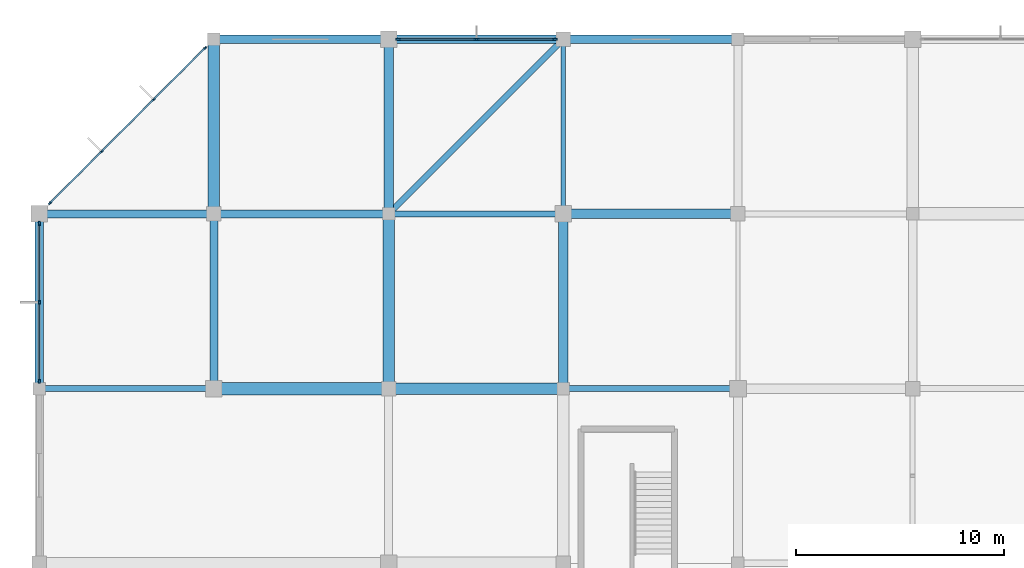
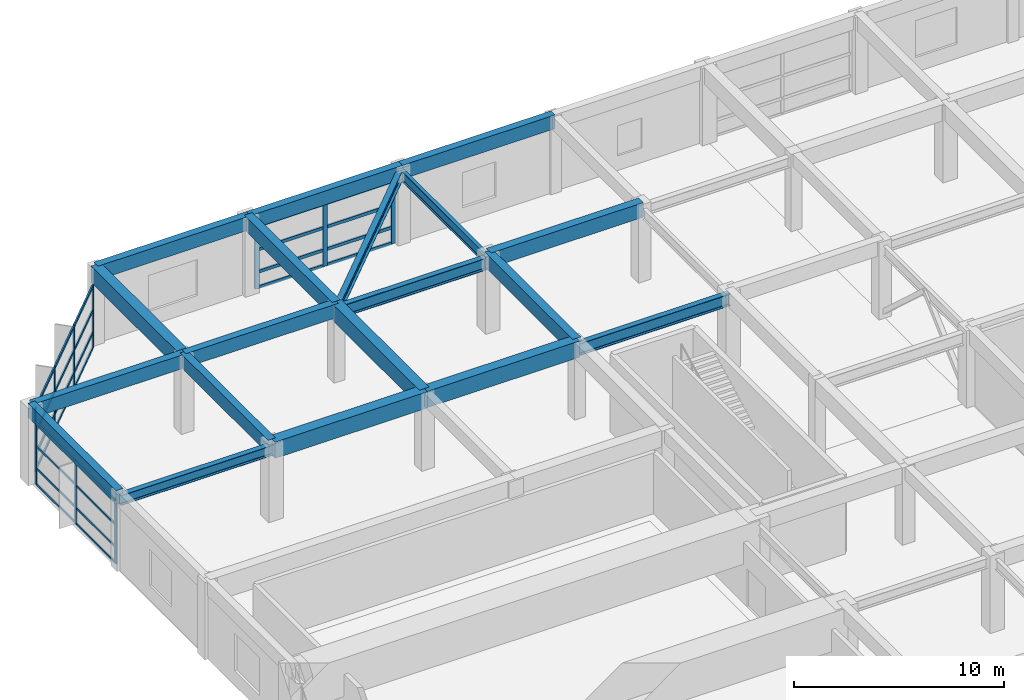
# One storey, part 27 of 62: 38 members, 19 beams, 3 elements without a shape of their own.
"""IFC4 building model written with IfcOpenShell, lengths in metres."""

import ifcopenshell
import ifcopenshell.guid

model = None  # the IFC model being written
_history = None  # IfcOwnerHistory: only IFC2X3 demands one
_inside = {}  # id of a spatial element -> (the spatial element, [elements in it])
_under = {}  # id of a project, library or spatial element -> (it, [spatial elements below it])
_declared = {}  # id of a project -> (the project, [libraries it declares])
_typed = {}  # id of a type object -> (the type object, [elements of that type])
_made_of = {}  # id of a material, layer set ... -> (it, [elements and type objects made of it])


def new_model(schema):
    """Start an empty IFC model of exactly this schema.

    Asked for "IFC4X3", IfcOpenShell would pick the latest addendum, in which some entities
    have other attributes; the version numbers below select the first issue.
    IFC2X3 requires an IfcOwnerHistory on every rooted entity: one is made here for all.
    """
    global model, _history
    if schema == "IFC4X3":
        model = ifcopenshell.file(schema_version=(4, 3, 0, 0))
    else:
        model = ifcopenshell.file(schema=schema)
    _inside.clear()
    _under.clear()
    _declared.clear()
    _typed.clear()
    _made_of.clear()
    _history = None
    if model.schema == "IFC2X3":
        org = make("IfcOrganization", Name="unknown")
        user = make(
            "IfcPersonAndOrganization",
            ThePerson=make("IfcPerson", FamilyName="unknown"),
            TheOrganization=org,
        )
        app = make(
            "IfcApplication",
            ApplicationDeveloper=org,
            Version="unknown",
            ApplicationFullName="unknown",
            ApplicationIdentifier="unknown",
        )
        _history = make(
            "IfcOwnerHistory",
            OwningUser=user,
            OwningApplication=app,
            ChangeAction="ADDED",
            CreationDate=0,
        )
    return model


def make(cls, **values):
    """One entity of the class cls with the attributes given. An attribute that is None is left unset."""
    return model.create_entity(
        cls, **{name: value for name, value in values.items() if value is not None}
    )


def rooted(cls, **values):
    """An entity with a GlobalId (a new one), such as an element, a storey or a relation."""
    return make(cls, GlobalId=ifcopenshell.guid.new(), OwnerHistory=_history, **values)


def si_unit(unit_type, name, prefix=None):
    """IfcSIUnit, for example si_unit("LENGTHUNIT", "METRE", prefix="MILLI")."""
    return make("IfcSIUnit", UnitType=unit_type, Prefix=prefix, Name=name)


def assignment(units):
    """IfcUnitAssignment: the units of a project."""
    return None if units is None else make("IfcUnitAssignment", Units=units)


def point(xyz):
    """IfcCartesianPoint."""
    return None if xyz is None else make("IfcCartesianPoint", Coordinates=xyz)


def direction(xyz):
    """IfcDirection."""
    return None if xyz is None else make("IfcDirection", DirectionRatios=xyz)


def frame(location, z_axis=None, x_axis=None):
    """IfcAxis2Placement3D, a coordinate frame: its origin and axes. An axis left out is left unset."""
    return make(
        "IfcAxis2Placement3D",
        Location=point(location),
        Axis=direction(z_axis),
        RefDirection=direction(x_axis),
    )


def frame_2d(location, x_axis=None):
    """IfcAxis2Placement2D, a coordinate frame in the plane: its origin and x axis."""
    return make(
        "IfcAxis2Placement2D", Location=point(location), RefDirection=direction(x_axis)
    )


def origin():
    """The frame at (0, 0, 0) with its axes left unset."""
    return frame((0.0, 0.0, 0.0))


def origin_2d():
    """The frame at (0, 0) in the plane with its x axis left unset."""
    return frame_2d((0.0, 0.0))


def place(relative_to, where):
    """IfcLocalPlacement: puts the frame where relative to a parent placement (None: the world)."""
    return make(
        "IfcLocalPlacement", PlacementRelTo=relative_to, RelativePlacement=where
    )


def context(
    kind, dimensions, precision=None, world=None, true_north=None, identifier=None
):
    """IfcGeometricRepresentationContext, for example the 3D "Model" context."""
    return make(
        "IfcGeometricRepresentationContext",
        ContextIdentifier=identifier,
        ContextType=kind,
        CoordinateSpaceDimension=dimensions,
        Precision=precision,
        WorldCoordinateSystem=world,
        TrueNorth=true_north,
    )


def subcontext(parent, identifier, kind, view, scale=None):
    """IfcGeometricRepresentationSubContext, for example "Body" below "Model"."""
    return make(
        "IfcGeometricRepresentationSubContext",
        ContextIdentifier=identifier,
        ContextType=kind,
        ParentContext=parent,
        TargetScale=scale,
        TargetView=view,
    )


def project(units=None, contexts=None):
    """IfcProject with its units and contexts."""
    return rooted(
        "IfcProject",
        Name="project",
        RepresentationContexts=contexts,
        UnitsInContext=assignment(units),
    )


def spatial(cls, under=None, at=None, **own):
    """A site, building, storey or space (cls), placed at a placement, below another one or the project."""
    s = rooted(cls, ObjectPlacement=at, **own)
    if under is not None:
        _under.setdefault(under.id(), (under, []))[1].append(s)
    return s


def profile(cls, at=None, kind="AREA", **sizes):
    """A parametric profile (cls). Its sizes go by their IFC names, for example OverallWidth=200.0."""
    return make(cls, ProfileType=kind, Position=at, **sizes)


def rectangle(**sizes):
    """IfcRectangleProfileDef."""
    return profile("IfcRectangleProfileDef", **sizes)


def i_section(**sizes):
    """IfcIShapeProfileDef."""
    return profile("IfcIShapeProfileDef", **sizes)


def extrude(swept, where, along, depth):
    """IfcExtrudedAreaSolid: the profile swept, set in the frame where, extruded along a direction by depth."""
    return make(
        "IfcExtrudedAreaSolid",
        SweptArea=swept,
        Position=where,
        ExtrudedDirection=direction(along),
        Depth=depth,
    )


def shape(context_of_items, identifier, shape_type, items):
    """IfcShapeRepresentation: the items that make up one representation, for example the "Body"."""
    return make(
        "IfcShapeRepresentation",
        ContextOfItems=context_of_items,
        RepresentationIdentifier=identifier,
        RepresentationType=shape_type,
        Items=items,
    )


def material(Name=None, Category=None):
    """IfcMaterial."""
    return make("IfcMaterial", Name=Name, Category=Category)


def material_profile(
    of_material, cross_section, Name=None, Category=None, Priority=None
):
    """IfcMaterialProfile: a cross section and its material."""
    return make(
        "IfcMaterialProfile",
        Name=Name,
        Material=of_material,
        Profile=cross_section,
        Priority=Priority,
        Category=Category,
    )


def profile_set(profiles, Name=None, composite=None):
    """IfcMaterialProfileSet."""
    return make(
        "IfcMaterialProfileSet",
        Name=Name,
        MaterialProfiles=profiles,
        CompositeProfile=composite,
    )


def made_of(thing, what):
    """Note that an element or type object is made of a material, layer set ...; save() writes the relation."""
    if what is not None:
        _made_of.setdefault(what.id(), (what, []))[1].append(thing)
    return thing


def type_object(cls, material=None, **own):
    """A type object (cls), such as IfcWallType, which elements share."""
    return made_of(rooted(cls, **own), material)


def element(
    cls,
    number,
    at=None,
    inside=None,
    cuts=None,
    type_object=None,
    material=None,
    context=None,
    identifier="Body",
    shape_type=None,
    held_by="IfcProductDefinitionShape",
    body=None,
    shapes=None,
    **own,
):
    """One element of the class cls, such as IfcWall. Its Tag is "e" and its number.

    at: its placement. inside: the storey or other place that contains it. cuts: it is an
    opening in that element (IfcRelVoidsElement). A single representation is given by context,
    identifier, shape_type and body (its items); several are given by shapes. held_by: the class
    of the entity that holds the representations. save() writes the other relations.
    """
    e = rooted(cls, Tag="e%d" % number, ObjectPlacement=at, **own)
    if body is not None:
        shapes = [shape(context, identifier, shape_type, body)]
    if shapes is not None:
        e.Representation = make(held_by, Representations=shapes)
    if inside is not None:
        _inside.setdefault(inside.id(), (inside, []))[1].append(e)
    if cuts is not None:
        rooted(
            "IfcRelVoidsElement", RelatingBuildingElement=cuts, RelatedOpeningElement=e
        )
    if type_object is not None:
        _typed.setdefault(type_object.id(), (type_object, []))[1].append(e)
    return made_of(e, material)


def aggregate(whole, parts):
    """IfcRelAggregates: a whole, such as a stair, and the parts it consists of."""
    return rooted("IfcRelAggregates", RelatingObject=whole, RelatedObjects=parts)


def save(model, path):
    """Write the relations noted so far, then the file.

    IfcRelAggregates (storeys below a building ...), IfcRelContainedInSpatialStructure (elements
    in a storey), IfcRelDefinesByType, IfcRelAssociatesMaterial and IfcRelDeclares: one each for
    every whole, place, type object, material and project.
    """
    for whole, parts in _under.values():
        aggregate(whole, parts)
    for where, things in _inside.values():
        rooted(
            "IfcRelContainedInSpatialStructure",
            RelatedElements=things,
            RelatingStructure=where,
        )
    for kind, things in _typed.values():
        rooted("IfcRelDefinesByType", RelatedObjects=things, RelatingType=kind)
    for what, things in _made_of.values():
        rooted("IfcRelAssociatesMaterial", RelatedObjects=things, RelatingMaterial=what)
    for by, libraries in _declared.values():
        rooted("IfcRelDeclares", RelatingContext=by, RelatedDefinitions=libraries)
    model.write(path)


model = new_model("IFC4")

# Units and contexts
model_context = context("Model", 3, precision=1e-05, world=origin(), true_north=direction((0.0, 1.0)))
body_context = subcontext(model_context, "Body", "Model", "MODEL_VIEW")
ifc_project = project(units=[si_unit("LENGTHUNIT", "METRE"), si_unit("AREAUNIT", "SQUARE_METRE"), si_unit("VOLUMEUNIT", "CUBIC_METRE"), si_unit("PLANEANGLEUNIT", "RADIAN"), si_unit("MASSUNIT", "GRAM", prefix="KILO")], contexts=[model_context])

# Site, building, storey
site_placement = place(None, origin())
site = spatial("IfcSite", under=ifc_project, at=site_placement, CompositionType="ELEMENT")
building_placement = place(site_placement, origin())
building = spatial("IfcBuilding", under=site, at=building_placement, Name="Xuanlan Plaza Opera House", CompositionType="ELEMENT")
storey_placement = place(building_placement, frame((0.0, 0.0, 14.39990234375)))
storey = spatial("IfcBuildingStorey", under=building, at=storey_placement, Name="L03", CompositionType="ELEMENT", Elevation=14.39990234375)

# Curtain wall, members
ifc_material_1 = material(Name="Anodised Aluminium 6063-T6 and Low-E Glass", Category="aluminium")
curtain_wall_type_1 = type_object("IfcCurtainWallType", Name="ENV-CW-CW-04", PredefinedType="USERDEFINED", material=ifc_material_1)
curtain_wall_1_placement = place(storey_placement, origin())
curtain_wall_1 = element("IfcCurtainWall", 1, at=curtain_wall_1_placement, inside=storey, type_object=curtain_wall_type_1, Name="Unitised Curtain Wall L03-047", ObjectType="UNITISED CURTAIN WALL", PredefinedType="USERDEFINED")
ifc_material_2 = material(Name="Anodised Aluminium 6063-T6", Category="aluminium")
ifc_material_profile_1 = material_profile(ifc_material_2, rectangle(XDim=0.070068359375, YDim=0.179931640625, at=origin_2d()), Name="ALU-M 70x180")
ifc_profile_set_1 = profile_set([ifc_material_profile_1], Name="Anodised Aluminium 6063-T6")
member_type_1 = type_object("IfcMemberType", Name="ENV-CWM-02", PredefinedType="MULLION", material=ifc_profile_set_1)
member_1_placement = place(storey_placement, frame((7.976318359375, 100.376220703125, 0.0), z_axis=(0.0, 0.0, 1.0), x_axis=(0.707106781187, -0.707106781187, 0.0)))
member_1 = element("IfcMember", 2, at=member_1_placement, type_object=member_type_1, Name="CW-04 mullion 1", PredefinedType="MULLION", context=body_context, shape_type="SweptSolid", body=[
    extrude(rectangle(XDim=0.070068359375, YDim=0.179931640625, at=origin_2d()), origin(), (0.0, 0.0, 1.0), 3.68017578125),
])
member_2_placement = place(storey_placement, frame((5.500244140625, 97.900390625, 0.0), z_axis=(0.0, 0.0, 1.0), x_axis=(0.707106781187, -0.707106781187, 0.0)))
member_2 = element("IfcMember", 3, at=member_2_placement, type_object=member_type_1, Name="CW-04 mullion 2", PredefinedType="MULLION", context=body_context, shape_type="SweptSolid", body=[
    extrude(rectangle(XDim=0.070068359375, YDim=0.179931640625, at=origin_2d()), origin(), (0.0, 0.0, 1.0), 3.68017578125),
])
member_3_placement = place(storey_placement, frame((2.999755859375, 95.399658203125, 0.0), z_axis=(0.0, 0.0, 1.0), x_axis=(0.707106781187, -0.707106781187, 0.0)))
member_3 = element("IfcMember", 4, at=member_3_placement, type_object=member_type_1, Name="CW-04 mullion 3", PredefinedType="MULLION", context=body_context, shape_type="SweptSolid", body=[
    extrude(rectangle(XDim=0.070068359375, YDim=0.179931640625, at=origin_2d()), origin(), (0.0, 0.0, 1.0), 3.68017578125),
])
member_4_placement = place(storey_placement, frame((0.523681640625, 92.923828125, 0.0), z_axis=(0.0, 0.0, 1.0), x_axis=(0.707106781187, -0.707106781187, 0.0)))
member_4 = element("IfcMember", 5, at=member_4_placement, type_object=member_type_1, Name="CW-04 mullion 4", PredefinedType="MULLION", context=body_context, shape_type="SweptSolid", body=[
    extrude(rectangle(XDim=0.070068359375, YDim=0.179931640625, at=origin_2d()), origin(), (0.0, 0.0, 1.0), 3.68017578125),
])

curtain_wall_type_2 = type_object("IfcCurtainWallType", Name="ENV-CW-CW-01", PredefinedType="USERDEFINED", material=ifc_material_1)
curtain_wall_2_placement = place(storey_placement, origin())
curtain_wall_2 = element("IfcCurtainWall", 6, at=curtain_wall_2_placement, inside=storey, type_object=curtain_wall_type_2, Name="Unitised Curtain Wall L03-048", ObjectType="UNITISED CURTAIN WALL", PredefinedType="USERDEFINED")
ifc_material_profile_2 = material_profile(ifc_material_2, rectangle(XDim=0.074951171875, YDim=0.199951171875, at=origin_2d()), Name="ALU-M 75x200")
ifc_profile_set_2 = profile_set([ifc_material_profile_2], Name="Anodised Aluminium 6063-T6")
member_type_2 = type_object("IfcMemberType", Name="ENV-CWM-03", PredefinedType="MULLION", material=ifc_profile_set_2)
member_5_placement = place(storey_placement, frame((0.0, 91.9423828125, 0.0), z_axis=(0.0, 0.0, 1.0), x_axis=(1.0, 0.0, 0.0)))
member_5 = element("IfcMember", 7, at=member_5_placement, type_object=member_type_2, Name="CW-01 mullion 1", PredefinedType="MULLION", context=body_context, shape_type="SweptSolid", body=[
    extrude(rectangle(XDim=0.074951171875, YDim=0.199951171875, at=origin_2d()), origin(), (0.0, 0.0, 1.0), 3.68017578125),
])
member_6_placement = place(storey_placement, frame((0.0, 88.14990234375, 0.0), z_axis=(0.0, 0.0, 1.0), x_axis=(1.0, 0.0, 0.0)))
member_6 = element("IfcMember", 8, at=member_6_placement, type_object=member_type_2, Name="CW-01 mullion 2", PredefinedType="MULLION", context=body_context, shape_type="SweptSolid", body=[
    extrude(rectangle(XDim=0.074951171875, YDim=0.199951171875, at=origin_2d()), origin(), (0.0, 0.0, 1.0), 3.68017578125),
])
member_7_placement = place(storey_placement, frame((0.0, 84.357421875, 0.0), z_axis=(0.0, 0.0, 1.0), x_axis=(1.0, 0.0, 0.0)))
member_7 = element("IfcMember", 9, at=member_7_placement, type_object=member_type_2, Name="CW-01 mullion 3", PredefinedType="MULLION", context=body_context, shape_type="SweptSolid", body=[
    extrude(rectangle(XDim=0.074951171875, YDim=0.199951171875, at=origin_2d()), origin(), (0.0, 0.0, 1.0), 3.68017578125),
])

curtain_wall_type_3 = type_object("IfcCurtainWallType", Name="ENV-CW-CW-02", PredefinedType="USERDEFINED", material=ifc_material_1)
curtain_wall_3_placement = place(storey_placement, origin())
curtain_wall_3 = element("IfcCurtainWall", 10, at=curtain_wall_3_placement, inside=storey, type_object=curtain_wall_type_3, Name="Unitised Curtain Wall L03-045", ObjectType="UNITISED CURTAIN WALL", PredefinedType="USERDEFINED")
ifc_material_profile_3 = material_profile(ifc_material_2, rectangle(XDim=0.090087890625, YDim=0.25, at=origin_2d()), Name="ALU-M 90x250")
ifc_profile_set_3 = profile_set([ifc_material_profile_3], Name="Anodised Aluminium 6063-T6")
member_type_3 = type_object("IfcMemberType", Name="ENV-CWM-05", PredefinedType="MULLION", material=ifc_profile_set_3)
member_8_placement = place(storey_placement, frame((24.784912109375, 100.800048828125, 0.0), z_axis=(0.0, 0.0, 1.0), x_axis=(0.0, -1.0, 0.0)))
member_8 = element("IfcMember", 11, at=member_8_placement, type_object=member_type_3, Name="CW-02 mullion 1", PredefinedType="MULLION", context=body_context, shape_type="SweptSolid", body=[
    extrude(rectangle(XDim=0.090087890625, YDim=0.25, at=origin_2d()), origin(), (0.0, 0.0, 1.0), 3.68017578125),
])
member_9_placement = place(storey_placement, frame((21.02490234375, 100.800048828125, 0.0), z_axis=(0.0, 0.0, 1.0), x_axis=(0.0, -1.0, 0.0)))
member_9 = element("IfcMember", 12, at=member_9_placement, type_object=member_type_3, Name="CW-02 mullion 2", PredefinedType="MULLION", context=body_context, shape_type="SweptSolid", body=[
    extrude(rectangle(XDim=0.090087890625, YDim=0.25, at=origin_2d()), origin(), (0.0, 0.0, 1.0), 3.68017578125),
])
member_10_placement = place(storey_placement, frame((17.264892578125, 100.800048828125, 0.0), z_axis=(0.0, 0.0, 1.0), x_axis=(0.0, -1.0, 0.0)))
member_10 = element("IfcMember", 13, at=member_10_placement, type_object=member_type_3, Name="CW-02 mullion 3", PredefinedType="MULLION", context=body_context, shape_type="SweptSolid", body=[
    extrude(rectangle(XDim=0.090087890625, YDim=0.25, at=origin_2d()), origin(), (0.0, 0.0, 1.0), 3.68017578125),
])

# Member
ifc_material_profile_4 = material_profile(ifc_material_2, rectangle(XDim=0.06494140625, YDim=0.1201171875, at=origin_2d()), Name="ALU-T 65x120")
ifc_profile_set_4 = profile_set([ifc_material_profile_4], Name="Anodised Aluminium 6063-T6")
member_type_4 = type_object("IfcMemberType", Name="ENV-CWT-01", PredefinedType="USERDEFINED", material=ifc_profile_set_4)
member_11_placement = place(storey_placement, frame((0.0, 91.905029296875, 0.03271484375), z_axis=(0.0, -1.0, 0.0), x_axis=(1.0, 0.0, 0.0)))
member_11 = element("IfcMember", 14, at=member_11_placement, type_object=member_type_4, Name="CW-01 transom 1.1", ObjectType="TRANSOM", PredefinedType="USERDEFINED", context=body_context, shape_type="SweptSolid", body=[
    extrude(rectangle(XDim=0.06494140625, YDim=0.1201171875, at=origin_2d()), origin(), (0.0, 0.0, 1.0), 3.717529296875),
])

member_12_placement = place(storey_placement, frame((0.0, 91.905029296875, 0.9501953125), z_axis=(0.0, -1.0, 0.0), x_axis=(1.0, 0.0, 0.0)))
member_12 = element("IfcMember", 15, at=member_12_placement, type_object=member_type_4, Name="CW-01 transom 1.2", ObjectType="TRANSOM", PredefinedType="USERDEFINED", context=body_context, shape_type="SweptSolid", body=[
    extrude(rectangle(XDim=0.06494140625, YDim=0.1201171875, at=origin_2d()), origin(), (0.0, 0.0, 1.0), 3.717529296875),
])

member_13_placement = place(storey_placement, frame((0.0, 91.905029296875, 2.25), z_axis=(0.0, -1.0, 0.0), x_axis=(1.0, 0.0, 0.0)))
member_13 = element("IfcMember", 16, at=member_13_placement, type_object=member_type_4, Name="CW-01 transom 1.3", ObjectType="TRANSOM", PredefinedType="USERDEFINED", context=body_context, shape_type="SweptSolid", body=[
    extrude(rectangle(XDim=0.06494140625, YDim=0.1201171875, at=origin_2d()), origin(), (0.0, 0.0, 1.0), 3.717529296875),
])

member_14_placement = place(storey_placement, frame((0.0, 91.905029296875, 3.647705078125), z_axis=(0.0, -1.0, 0.0), x_axis=(1.0, 0.0, 0.0)))
member_14 = element("IfcMember", 17, at=member_14_placement, type_object=member_type_4, Name="CW-01 transom 1.4", ObjectType="TRANSOM", PredefinedType="USERDEFINED", context=body_context, shape_type="SweptSolid", body=[
    extrude(rectangle(XDim=0.06494140625, YDim=0.1201171875, at=origin_2d()), origin(), (0.0, 0.0, 1.0), 3.717529296875),
])

member_15_placement = place(storey_placement, frame((0.0, 88.112548828125, 0.03271484375), z_axis=(0.0, -1.0, 0.0), x_axis=(1.0, 0.0, 0.0)))
member_15 = element("IfcMember", 18, at=member_15_placement, type_object=member_type_4, Name="CW-01 transom 2.1", ObjectType="TRANSOM", PredefinedType="USERDEFINED", context=body_context, shape_type="SweptSolid", body=[
    extrude(rectangle(XDim=0.06494140625, YDim=0.1201171875, at=origin_2d()), origin(), (0.0, 0.0, 1.0), 3.717529296875),
])

member_16_placement = place(storey_placement, frame((0.0, 88.112548828125, 0.9501953125), z_axis=(0.0, -1.0, 0.0), x_axis=(1.0, 0.0, 0.0)))
member_16 = element("IfcMember", 19, at=member_16_placement, type_object=member_type_4, Name="CW-01 transom 2.2", ObjectType="TRANSOM", PredefinedType="USERDEFINED", context=body_context, shape_type="SweptSolid", body=[
    extrude(rectangle(XDim=0.06494140625, YDim=0.1201171875, at=origin_2d()), origin(), (0.0, 0.0, 1.0), 3.717529296875),
])

member_17_placement = place(storey_placement, frame((0.0, 88.112548828125, 2.25), z_axis=(0.0, -1.0, 0.0), x_axis=(1.0, 0.0, 0.0)))
member_17 = element("IfcMember", 20, at=member_17_placement, type_object=member_type_4, Name="CW-01 transom 2.3", ObjectType="TRANSOM", PredefinedType="USERDEFINED", context=body_context, shape_type="SweptSolid", body=[
    extrude(rectangle(XDim=0.06494140625, YDim=0.1201171875, at=origin_2d()), origin(), (0.0, 0.0, 1.0), 3.717529296875),
])

member_18_placement = place(storey_placement, frame((0.0, 88.112548828125, 3.647705078125), z_axis=(0.0, -1.0, 0.0), x_axis=(1.0, 0.0, 0.0)))
member_18 = element("IfcMember", 21, at=member_18_placement, type_object=member_type_4, Name="CW-01 transom 2.4", ObjectType="TRANSOM", PredefinedType="USERDEFINED", context=body_context, shape_type="SweptSolid", body=[
    extrude(rectangle(XDim=0.06494140625, YDim=0.1201171875, at=origin_2d()), origin(), (0.0, 0.0, 1.0), 3.717529296875),
])

aggregate(curtain_wall_2, [member_5, member_6, member_7, member_11, member_12, member_13, member_14, member_15, member_16, member_17, member_18])

ifc_material_profile_5 = material_profile(ifc_material_2, rectangle(XDim=0.080078125, YDim=0.1650390625, at=origin_2d()), Name="ALU-T 80x165")
ifc_profile_set_5 = profile_set([ifc_material_profile_5], Name="Anodised Aluminium 6063-T6")
member_type_5 = type_object("IfcMemberType", Name="ENV-CWT-04", PredefinedType="USERDEFINED", material=ifc_profile_set_5)
member_19_placement = place(storey_placement, frame((7.951416015625, 100.3515625, 0.0400390625), z_axis=(-0.707071206172, -0.707142354412, 0.0), x_axis=(0.707142354412, -0.707071206172, 0.0)))
member_19 = element("IfcMember", 22, at=member_19_placement, type_object=member_type_5, Name="CW-04 transom 1.1", ObjectType="TRANSOM", PredefinedType="USERDEFINED", context=body_context, shape_type="SweptSolid", body=[
    extrude(rectangle(XDim=0.080078125, YDim=0.1650390625, at=origin_2d()), origin(), (0.0, 0.0, 1.0), 3.431396484375),
])

member_20_placement = place(storey_placement, frame((7.951416015625, 100.3515625, 0.9501953125), z_axis=(-0.707071206172, -0.707142354412, 0.0), x_axis=(0.707142354412, -0.707071206172, 0.0)))
member_20 = element("IfcMember", 23, at=member_20_placement, type_object=member_type_5, Name="CW-04 transom 1.2", ObjectType="TRANSOM", PredefinedType="USERDEFINED", context=body_context, shape_type="SweptSolid", body=[
    extrude(rectangle(XDim=0.080078125, YDim=0.1650390625, at=origin_2d()), origin(), (0.0, 0.0, 1.0), 3.431396484375),
])

member_21_placement = place(storey_placement, frame((7.951416015625, 100.3515625, 2.25), z_axis=(-0.707071206172, -0.707142354412, 0.0), x_axis=(0.707142354412, -0.707071206172, 0.0)))
member_21 = element("IfcMember", 24, at=member_21_placement, type_object=member_type_5, Name="CW-04 transom 1.3", ObjectType="TRANSOM", PredefinedType="USERDEFINED", context=body_context, shape_type="SweptSolid", body=[
    extrude(rectangle(XDim=0.080078125, YDim=0.1650390625, at=origin_2d()), origin(), (0.0, 0.0, 1.0), 3.431396484375),
])

member_22_placement = place(storey_placement, frame((7.951416015625, 100.3515625, 3.64013671875), z_axis=(-0.707071206172, -0.707142354412, 0.0), x_axis=(0.707142354412, -0.707071206172, 0.0)))
member_22 = element("IfcMember", 25, at=member_22_placement, type_object=member_type_5, Name="CW-04 transom 1.4", ObjectType="TRANSOM", PredefinedType="USERDEFINED", context=body_context, shape_type="SweptSolid", body=[
    extrude(rectangle(XDim=0.080078125, YDim=0.1650390625, at=origin_2d()), origin(), (0.0, 0.0, 1.0), 3.431396484375),
])

member_23_placement = place(storey_placement, frame((5.4755859375, 97.87548828125, 0.0400390625), z_axis=(-0.707106781187, -0.707106781187, 0.0), x_axis=(0.707106781187, -0.707106781187, 0.0)))
member_23 = element("IfcMember", 26, at=member_23_placement, type_object=member_type_5, Name="CW-04 transom 2.1", ObjectType="TRANSOM", PredefinedType="USERDEFINED", context=body_context, shape_type="SweptSolid", body=[
    extrude(rectangle(XDim=0.080078125, YDim=0.1650390625, at=origin_2d()), origin(), (0.0, 0.0, 1.0), 3.466552734375),
])

member_24_placement = place(storey_placement, frame((5.4755859375, 97.87548828125, 0.9501953125), z_axis=(-0.707106781187, -0.707106781187, 0.0), x_axis=(0.707106781187, -0.707106781187, 0.0)))
member_24 = element("IfcMember", 27, at=member_24_placement, type_object=member_type_5, Name="CW-04 transom 2.2", ObjectType="TRANSOM", PredefinedType="USERDEFINED", context=body_context, shape_type="SweptSolid", body=[
    extrude(rectangle(XDim=0.080078125, YDim=0.1650390625, at=origin_2d()), origin(), (0.0, 0.0, 1.0), 3.466552734375),
])

member_25_placement = place(storey_placement, frame((5.4755859375, 97.87548828125, 2.25), z_axis=(-0.707106781187, -0.707106781187, 0.0), x_axis=(0.707106781187, -0.707106781187, 0.0)))
member_25 = element("IfcMember", 28, at=member_25_placement, type_object=member_type_5, Name="CW-04 transom 2.3", ObjectType="TRANSOM", PredefinedType="USERDEFINED", context=body_context, shape_type="SweptSolid", body=[
    extrude(rectangle(XDim=0.080078125, YDim=0.1650390625, at=origin_2d()), origin(), (0.0, 0.0, 1.0), 3.466552734375),
])

member_26_placement = place(storey_placement, frame((5.4755859375, 97.87548828125, 3.64013671875), z_axis=(-0.707106781187, -0.707106781187, 0.0), x_axis=(0.707106781187, -0.707106781187, 0.0)))
member_26 = element("IfcMember", 29, at=member_26_placement, type_object=member_type_5, Name="CW-04 transom 2.4", ObjectType="TRANSOM", PredefinedType="USERDEFINED", context=body_context, shape_type="SweptSolid", body=[
    extrude(rectangle(XDim=0.080078125, YDim=0.1650390625, at=origin_2d()), origin(), (0.0, 0.0, 1.0), 3.466552734375),
])

member_27_placement = place(storey_placement, frame((2.974853515625, 95.375, 0.0400390625), z_axis=(-0.707071206172, -0.707142354412, 0.0), x_axis=(0.707142354412, -0.707071206172, 0.0)))
member_27 = element("IfcMember", 30, at=member_27_placement, type_object=member_type_5, Name="CW-04 transom 3.1", ObjectType="TRANSOM", PredefinedType="USERDEFINED", context=body_context, shape_type="SweptSolid", body=[
    extrude(rectangle(XDim=0.080078125, YDim=0.1650390625, at=origin_2d()), origin(), (0.0, 0.0, 1.0), 3.431396484375),
])

member_28_placement = place(storey_placement, frame((2.974853515625, 95.375, 0.9501953125), z_axis=(-0.707071206172, -0.707142354412, 0.0), x_axis=(0.707142354412, -0.707071206172, 0.0)))
member_28 = element("IfcMember", 31, at=member_28_placement, type_object=member_type_5, Name="CW-04 transom 3.2", ObjectType="TRANSOM", PredefinedType="USERDEFINED", context=body_context, shape_type="SweptSolid", body=[
    extrude(rectangle(XDim=0.080078125, YDim=0.1650390625, at=origin_2d()), origin(), (0.0, 0.0, 1.0), 3.431396484375),
])

member_29_placement = place(storey_placement, frame((2.974853515625, 95.375, 2.25), z_axis=(-0.707071206172, -0.707142354412, 0.0), x_axis=(0.707142354412, -0.707071206172, 0.0)))
member_29 = element("IfcMember", 32, at=member_29_placement, type_object=member_type_5, Name="CW-04 transom 3.3", ObjectType="TRANSOM", PredefinedType="USERDEFINED", context=body_context, shape_type="SweptSolid", body=[
    extrude(rectangle(XDim=0.080078125, YDim=0.1650390625, at=origin_2d()), origin(), (0.0, 0.0, 1.0), 3.431396484375),
])

member_30_placement = place(storey_placement, frame((2.974853515625, 95.375, 3.64013671875), z_axis=(-0.707071206172, -0.707142354412, 0.0), x_axis=(0.707142354412, -0.707071206172, 0.0)))
member_30 = element("IfcMember", 33, at=member_30_placement, type_object=member_type_5, Name="CW-04 transom 3.4", ObjectType="TRANSOM", PredefinedType="USERDEFINED", context=body_context, shape_type="SweptSolid", body=[
    extrude(rectangle(XDim=0.080078125, YDim=0.1650390625, at=origin_2d()), origin(), (0.0, 0.0, 1.0), 3.431396484375),
])

aggregate(curtain_wall_1, [member_1, member_2, member_3, member_4, member_19, member_20, member_21, member_22, member_23, member_24, member_25, member_26, member_27, member_28, member_29, member_30])

ifc_material_profile_6 = material_profile(ifc_material_2, rectangle(XDim=0.090087890625, YDim=0.179931640625, at=origin_2d()), Name="ALU-T 90x180")
ifc_profile_set_6 = profile_set([ifc_material_profile_6], Name="Anodised Aluminium 6063-T6")
member_type_6 = type_object("IfcMemberType", Name="ENV-CWT-05", PredefinedType="USERDEFINED", material=ifc_profile_set_6)
member_31_placement = place(storey_placement, frame((24.739990234375, 100.800048828125, 0.045166015625), z_axis=(-1.0, 0.0, 0.0), x_axis=(0.0, -1.0, 0.0)))
member_31 = element("IfcMember", 34, at=member_31_placement, type_object=member_type_6, Name="CW-02 transom 1.1", ObjectType="TRANSOM", PredefinedType="USERDEFINED", context=body_context, shape_type="SweptSolid", body=[
    extrude(rectangle(XDim=0.090087890625, YDim=0.179931640625, at=origin_2d()), origin(), (0.0, 0.0, 1.0), 3.669921875),
])

member_32_placement = place(storey_placement, frame((24.739990234375, 100.800048828125, 0.9501953125), z_axis=(-1.0, 0.0, 0.0), x_axis=(0.0, -1.0, 0.0)))
member_32 = element("IfcMember", 35, at=member_32_placement, type_object=member_type_6, Name="CW-02 transom 1.2", ObjectType="TRANSOM", PredefinedType="USERDEFINED", context=body_context, shape_type="SweptSolid", body=[
    extrude(rectangle(XDim=0.090087890625, YDim=0.179931640625, at=origin_2d()), origin(), (0.0, 0.0, 1.0), 3.669921875),
])

member_33_placement = place(storey_placement, frame((24.739990234375, 100.800048828125, 2.25), z_axis=(-1.0, 0.0, 0.0), x_axis=(0.0, -1.0, 0.0)))
member_33 = element("IfcMember", 36, at=member_33_placement, type_object=member_type_6, Name="CW-02 transom 1.3", ObjectType="TRANSOM", PredefinedType="USERDEFINED", context=body_context, shape_type="SweptSolid", body=[
    extrude(rectangle(XDim=0.090087890625, YDim=0.179931640625, at=origin_2d()), origin(), (0.0, 0.0, 1.0), 3.669921875),
])

member_34_placement = place(storey_placement, frame((24.739990234375, 100.800048828125, 3.635009765625), z_axis=(-1.0, 0.0, 0.0), x_axis=(0.0, -1.0, 0.0)))
member_34 = element("IfcMember", 37, at=member_34_placement, type_object=member_type_6, Name="CW-02 transom 1.4", ObjectType="TRANSOM", PredefinedType="USERDEFINED", context=body_context, shape_type="SweptSolid", body=[
    extrude(rectangle(XDim=0.090087890625, YDim=0.179931640625, at=origin_2d()), origin(), (0.0, 0.0, 1.0), 3.669921875),
])

member_35_placement = place(storey_placement, frame((20.97998046875, 100.800048828125, 0.045166015625), z_axis=(-1.0, 0.0, 0.0), x_axis=(0.0, -1.0, 0.0)))
member_35 = element("IfcMember", 38, at=member_35_placement, type_object=member_type_6, Name="CW-02 transom 2.1", ObjectType="TRANSOM", PredefinedType="USERDEFINED", context=body_context, shape_type="SweptSolid", body=[
    extrude(rectangle(XDim=0.090087890625, YDim=0.179931640625, at=origin_2d()), origin(), (0.0, 0.0, 1.0), 3.669921875),
])

member_36_placement = place(storey_placement, frame((20.97998046875, 100.800048828125, 0.9501953125), z_axis=(-1.0, 0.0, 0.0), x_axis=(0.0, -1.0, 0.0)))
member_36 = element("IfcMember", 39, at=member_36_placement, type_object=member_type_6, Name="CW-02 transom 2.2", ObjectType="TRANSOM", PredefinedType="USERDEFINED", context=body_context, shape_type="SweptSolid", body=[
    extrude(rectangle(XDim=0.090087890625, YDim=0.179931640625, at=origin_2d()), origin(), (0.0, 0.0, 1.0), 3.669921875),
])

member_37_placement = place(storey_placement, frame((20.97998046875, 100.800048828125, 2.25), z_axis=(-1.0, 0.0, 0.0), x_axis=(0.0, -1.0, 0.0)))
member_37 = element("IfcMember", 40, at=member_37_placement, type_object=member_type_6, Name="CW-02 transom 2.3", ObjectType="TRANSOM", PredefinedType="USERDEFINED", context=body_context, shape_type="SweptSolid", body=[
    extrude(rectangle(XDim=0.090087890625, YDim=0.179931640625, at=origin_2d()), origin(), (0.0, 0.0, 1.0), 3.669921875),
])

member_38_placement = place(storey_placement, frame((20.97998046875, 100.800048828125, 3.635009765625), z_axis=(-1.0, 0.0, 0.0), x_axis=(0.0, -1.0, 0.0)))
member_38 = element("IfcMember", 41, at=member_38_placement, type_object=member_type_6, Name="CW-02 transom 2.4", ObjectType="TRANSOM", PredefinedType="USERDEFINED", context=body_context, shape_type="SweptSolid", body=[
    extrude(rectangle(XDim=0.090087890625, YDim=0.179931640625, at=origin_2d()), origin(), (0.0, 0.0, 1.0), 3.669921875),
])

aggregate(curtain_wall_3, [member_8, member_9, member_10, member_31, member_32, member_33, member_34, member_35, member_36, member_37, member_38])

# Beams
ifc_material_3 = material(Name="Concrete C50", Category="concrete")
ifc_material_profile_7 = material_profile(ifc_material_3, rectangle(XDim=0.60009765625, YDim=0.949951171875, at=origin_2d()), Name="RC-BM 600x950")
ifc_profile_set_7 = profile_set([ifc_material_profile_7], Name="Concrete C50")
beam_type_1 = type_object("IfcBeamType", Name="STR-BM-B-01", PredefinedType="BEAM", material=ifc_profile_set_7)
beam_1_placement = place(storey_placement, frame((8.39990234375, 84.0, 4.025146484375), z_axis=(1.0, 0.0, 0.0), x_axis=(0.0, 1.0, 0.0)))
element("IfcBeam", 42, at=beam_1_placement, inside=storey, type_object=beam_type_1, Name="Grid Beam X L03 2-3/K", PredefinedType="BEAM", context=body_context, shape_type="SweptSolid", body=[
    extrude(rectangle(XDim=0.60009765625, YDim=0.949951171875, at=origin_2d()), origin(), (0.0, 0.0, 1.0), 8.400146484375),
])
ifc_material_profile_8 = material_profile(ifc_material_3, rectangle(XDim=0.550048828125, YDim=0.949951171875, at=origin_2d()), Name="RC-BM 550x950")
ifc_profile_set_8 = profile_set([ifc_material_profile_8], Name="Concrete C50")
beam_type_2 = type_object("IfcBeamType", Name="STR-BM-B-02", PredefinedType="BEAM", material=ifc_profile_set_8)
beam_2_placement = place(storey_placement, frame((16.800048828125, 84.0, 4.025146484375), z_axis=(1.0, 0.0, 0.0), x_axis=(0.0, 1.0, 0.0)))
element("IfcBeam", 43, at=beam_2_placement, inside=storey, type_object=beam_type_2, Name="Grid Beam X L03 3-4/K", PredefinedType="BEAM", context=body_context, shape_type="SweptSolid", body=[
    extrude(rectangle(XDim=0.550048828125, YDim=0.949951171875, at=origin_2d()), origin(), (0.0, 0.0, 1.0), 8.39990234375),
])
beam_3_placement = place(storey_placement, frame((8.39990234375, 92.39990234375, 4.025146484375), z_axis=(0.0, 1.0, 0.0), x_axis=(-1.0, 0.0, 0.0)))
element("IfcBeam", 44, at=beam_3_placement, inside=storey, type_object=beam_type_2, Name="Grid Beam Y L03 2/L-M", PredefinedType="BEAM", context=body_context, shape_type="SweptSolid", body=[
    extrude(rectangle(XDim=0.550048828125, YDim=0.949951171875, at=origin_2d()), origin(), (0.0, 0.0, 1.0), 8.400146484375),
])
beam_4_placement = place(storey_placement, frame((16.800048828125, 84.0, 4.025146484375), z_axis=(0.0, 1.0, 0.0), x_axis=(-1.0, 0.0, 0.0)))
element("IfcBeam", 45, at=beam_4_placement, inside=storey, type_object=beam_type_2, Name="Grid Beam Y L03 3/K-L", PredefinedType="BEAM", context=body_context, shape_type="SweptSolid", body=[
    extrude(rectangle(XDim=0.550048828125, YDim=0.949951171875, at=origin_2d()), origin(), (0.0, 0.0, 1.0), 8.39990234375),
])
ifc_material_4 = material(Name="Concrete C40", Category="concrete")
ifc_material_profile_9 = material_profile(ifc_material_4, rectangle(XDim=0.449951171875, YDim=0.85009765625, at=origin_2d()), Name="RC-BM 450x850")
ifc_profile_set_9 = profile_set([ifc_material_profile_9], Name="Concrete C40")
beam_type_3 = type_object("IfcBeamType", Name="STR-BM-B-04", PredefinedType="BEAM", material=ifc_profile_set_9)
for number, where, z_axis, x_axis, name in (
    (46, (25.199951171875, 92.39990234375, 4.0751953125), (1.0, 0.0, 0.0), (0.0, 1.0, 0.0), "Grid Beam X L03 4-5/L"),
    (47, (16.800048828125, 92.39990234375, 4.0751953125), (0.0, 1.0, 0.0), (-1.0, 0.0, 0.0), "Grid Beam Y L03 3/L-M"),
):
    element("IfcBeam", number, at=place(storey_placement, frame(where, z_axis=z_axis, x_axis=x_axis)), inside=storey, type_object=beam_type_3, Name=name, PredefinedType="BEAM", context=body_context, shape_type="SweptSolid", body=[
        extrude(rectangle(XDim=0.449951171875, YDim=0.85009765625, at=origin_2d()), origin(), (0.0, 0.0, 1.0), 8.400146484375),
    ])
beam_5_placement = place(storey_placement, frame((25.199951171875, 84.0, 4.0751953125), z_axis=(0.0, 1.0, 0.0), x_axis=(-1.0, 0.0, 0.0)))
element("IfcBeam", 48, at=beam_5_placement, inside=storey, type_object=beam_type_3, Name="Grid Beam Y L03 4/K-L", PredefinedType="BEAM", context=body_context, shape_type="SweptSolid", body=[
    extrude(rectangle(XDim=0.449951171875, YDim=0.85009765625, at=origin_2d()), origin(), (0.0, 0.0, 1.0), 8.39990234375),
])
ifc_material_5 = material(Name="Steel Q355B", Category="steel")
ifc_material_profile_10 = material_profile(ifc_material_5, i_section(OverallWidth=0.300048828125, OverallDepth=0.699951171875, WebThickness=0.012939453125, FlangeThickness=0.02392578125, FilletRadius=0.02392578125, at=origin_2d()), Name="HN 700x300x13x24")
ifc_profile_set_10 = profile_set([ifc_material_profile_10], Name="Steel Q355B")
beam_type_4 = type_object("IfcBeamType", Name="STR-BM-SB-03", PredefinedType="BEAM", material=ifc_profile_set_10)
beam_6_placement = place(storey_placement, frame((25.199951171875, 84.0, 3.885009765625), z_axis=(1.0, 0.0, 0.0), x_axis=(0.0, 1.0, 0.0)))
element("IfcBeam", 49, at=beam_6_placement, inside=storey, type_object=beam_type_4, Name="Grid Beam X L03 4-5/K", PredefinedType="BEAM", context=body_context, shape_type="SweptSolid", body=[
    extrude(i_section(OverallWidth=0.300048828125, OverallDepth=0.699951171875, WebThickness=0.012939453125, FlangeThickness=0.02392578125, FilletRadius=0.02392578125, at=origin_2d()), origin(), (0.0, 0.0, 1.0), 8.400146484375),
])
beam_7_placement = place(storey_placement, frame((16.800048828125, 92.39990234375, 3.885009765625), z_axis=(1.0, 0.0, 0.0), x_axis=(0.0, 1.0, 0.0)))
element("IfcBeam", 50, at=beam_7_placement, inside=storey, type_object=beam_type_4, Name="Grid Beam X L03 3-4/L", PredefinedType="BEAM", context=body_context, shape_type="SweptSolid", body=[
    extrude(i_section(OverallWidth=0.300048828125, OverallDepth=0.699951171875, WebThickness=0.012939453125, FlangeThickness=0.02392578125, FilletRadius=0.02392578125, at=origin_2d()), origin(), (0.0, 0.0, 1.0), 8.39990234375),
])
ifc_material_profile_11 = material_profile(ifc_material_5, i_section(OverallWidth=0.199951171875, OverallDepth=0.60009765625, WebThickness=0.010986328125, FlangeThickness=0.01708984375, FilletRadius=0.02197265625, at=origin_2d()), Name="HN 600x200x11x17")
ifc_profile_set_11 = profile_set([ifc_material_profile_11], Name="Steel Q355B")
beam_type_5 = type_object("IfcBeamType", Name="STR-BM-SB-04", PredefinedType="BEAM", material=ifc_profile_set_11)
beam_8_placement = place(storey_placement, frame((25.199951171875, 92.39990234375, 3.93505859375), z_axis=(0.0, 1.0, 0.0), x_axis=(-1.0, 0.0, 0.0)))
element("IfcBeam", 51, at=beam_8_placement, inside=storey, type_object=beam_type_5, Name="Grid Beam Y L03 4/L-M", PredefinedType="BEAM", context=body_context, shape_type="SweptSolid", body=[
    extrude(i_section(OverallWidth=0.199951171875, OverallDepth=0.60009765625, WebThickness=0.010986328125, FlangeThickness=0.01708984375, FilletRadius=0.02197265625, at=origin_2d()), origin(), (0.0, 0.0, 1.0), 8.400146484375),
])
ifc_material_profile_12 = material_profile(ifc_material_5, i_section(OverallWidth=0.300048828125, OverallDepth=0.587890625, WebThickness=0.011962890625, FlangeThickness=0.02001953125, FilletRadius=0.02392578125, at=origin_2d()), Name="HM 588x300x12x20")
ifc_profile_set_12 = profile_set([ifc_material_profile_12], Name="Steel Q355B")
beam_type_6 = type_object("IfcBeamType", Name="STR-BM-SB-06", PredefinedType="BEAM", material=ifc_profile_set_12)
beam_9_placement = place(storey_placement, frame((0.0, 84.0, 3.941162109375), z_axis=(1.0, 0.0, 0.0), x_axis=(0.0, 1.0, 0.0)))
element("IfcBeam", 52, at=beam_9_placement, inside=storey, type_object=beam_type_6, Name="Grid Beam X L03 1-2/K", PredefinedType="BEAM", context=body_context, shape_type="SweptSolid", body=[
    extrude(i_section(OverallWidth=0.300048828125, OverallDepth=0.587890625, WebThickness=0.011962890625, FlangeThickness=0.02001953125, FilletRadius=0.02392578125, at=origin_2d()), origin(), (0.0, 0.0, 1.0), 8.39990234375),
])
ifc_material_profile_13 = material_profile(ifc_material_4, rectangle(XDim=0.39990234375, YDim=0.800048828125, at=origin_2d()), Name="RC-SPD 400x800")
ifc_profile_set_13 = profile_set([ifc_material_profile_13], Name="Concrete C40")
beam_type_7 = type_object("IfcBeamType", Name="STR-BM-SP-01", PredefinedType="SPANDREL", material=ifc_profile_set_13)
beam_10_placement = place(storey_placement, frame((0.0, 92.39990234375, 4.10009765625), z_axis=(1.0, 0.0, 0.0), x_axis=(0.0, 1.0, 0.0)))
element("IfcBeam", 53, at=beam_10_placement, inside=storey, type_object=beam_type_7, Name="Grid Beam X L03 1-2/L", PredefinedType="SPANDREL", context=body_context, shape_type="SweptSolid", body=[
    extrude(rectangle(XDim=0.39990234375, YDim=0.800048828125, at=origin_2d()), origin(), (0.0, 0.0, 1.0), 8.39990234375),
])
for number, where, z_axis, x_axis, name in (
    (54, (8.39990234375, 92.39990234375, 4.10009765625), (1.0, 0.0, 0.0), (0.0, 1.0, 0.0), "Grid Beam X L03 2-3/L"),
    (55, (8.39990234375, 100.800048828125, 4.10009765625), (1.0, 0.0, 0.0), (0.0, 1.0, 0.0), "Grid Beam X L03 2-3/M"),
):
    element("IfcBeam", number, at=place(storey_placement, frame(where, z_axis=z_axis, x_axis=x_axis)), inside=storey, type_object=beam_type_7, Name=name, PredefinedType="SPANDREL", context=body_context, shape_type="SweptSolid", body=[
        extrude(rectangle(XDim=0.39990234375, YDim=0.800048828125, at=origin_2d()), origin(), (0.0, 0.0, 1.0), 8.400146484375),
    ])
beam_11_placement = place(storey_placement, frame((16.800048828125, 100.800048828125, 4.10009765625), z_axis=(1.0, 0.0, 0.0), x_axis=(0.0, 1.0, 0.0)))
element("IfcBeam", 56, at=beam_11_placement, inside=storey, type_object=beam_type_7, Name="Grid Beam X L03 3-4/M", PredefinedType="SPANDREL", context=body_context, shape_type="SweptSolid", body=[
    extrude(rectangle(XDim=0.39990234375, YDim=0.800048828125, at=origin_2d()), origin(), (0.0, 0.0, 1.0), 8.39990234375),
])
beam_12_placement = place(storey_placement, frame((25.199951171875, 100.800048828125, 4.10009765625), z_axis=(1.0, 0.0, 0.0), x_axis=(0.0, 1.0, 0.0)))
element("IfcBeam", 57, at=beam_12_placement, inside=storey, type_object=beam_type_7, Name="Grid Beam X L03 4-5/M", PredefinedType="SPANDREL", context=body_context, shape_type="SweptSolid", body=[
    extrude(rectangle(XDim=0.39990234375, YDim=0.800048828125, at=origin_2d()), origin(), (0.0, 0.0, 1.0), 8.400146484375),
])
for number, where, z_axis, x_axis, name in (
    (58, (0.0, 84.0, 4.10009765625), (0.0, 1.0, 0.0), (-1.0, 0.0, 0.0), "Grid Beam Y L03 1/K-L"),
    (59, (8.39990234375, 84.0, 4.10009765625), (0.0, 1.0, 0.0), (-1.0, 0.0, 0.0), "Grid Beam Y L03 2/K-L"),
):
    element("IfcBeam", number, at=place(storey_placement, frame(where, z_axis=z_axis, x_axis=x_axis)), inside=storey, type_object=beam_type_7, Name=name, PredefinedType="SPANDREL", context=body_context, shape_type="SweptSolid", body=[
        extrude(rectangle(XDim=0.39990234375, YDim=0.800048828125, at=origin_2d()), origin(), (0.0, 0.0, 1.0), 8.39990234375),
    ])
ifc_material_profile_14 = material_profile(ifc_material_5, i_section(OverallWidth=0.300048828125, OverallDepth=0.587890625, WebThickness=0.011962890625, FlangeThickness=0.02001953125, FilletRadius=0.02392578125, at=origin_2d()), Name="HM 588x300x12x20")
ifc_profile_set_14 = profile_set([ifc_material_profile_14], Name="Steel Q355B")
beam_type_8 = type_object("IfcBeamType", Name="STR-BM-SP-03", PredefinedType="SPANDREL", material=ifc_profile_set_14)
beam_13_placement = place(storey_placement, frame((16.800048828125, 92.39990234375, 3.941162109375), z_axis=(0.707096505339, 0.707117056885, 0.0), x_axis=(-0.707117056885, 0.707096505339, 0.0)))
element("IfcBeam", 60, at=beam_13_placement, inside=storey, type_object=beam_type_8, Name="Faceted Edge Spandrel L03 CH01", PredefinedType="SPANDREL", context=body_context, shape_type="SweptSolid", body=[
    extrude(i_section(OverallWidth=0.300048828125, OverallDepth=0.587890625, WebThickness=0.011962890625, FlangeThickness=0.02001953125, FilletRadius=0.02392578125, at=origin_2d()), origin(), (0.0, 0.0, 1.0), 11.87939453125),
])

save(model, "model.ifc")
